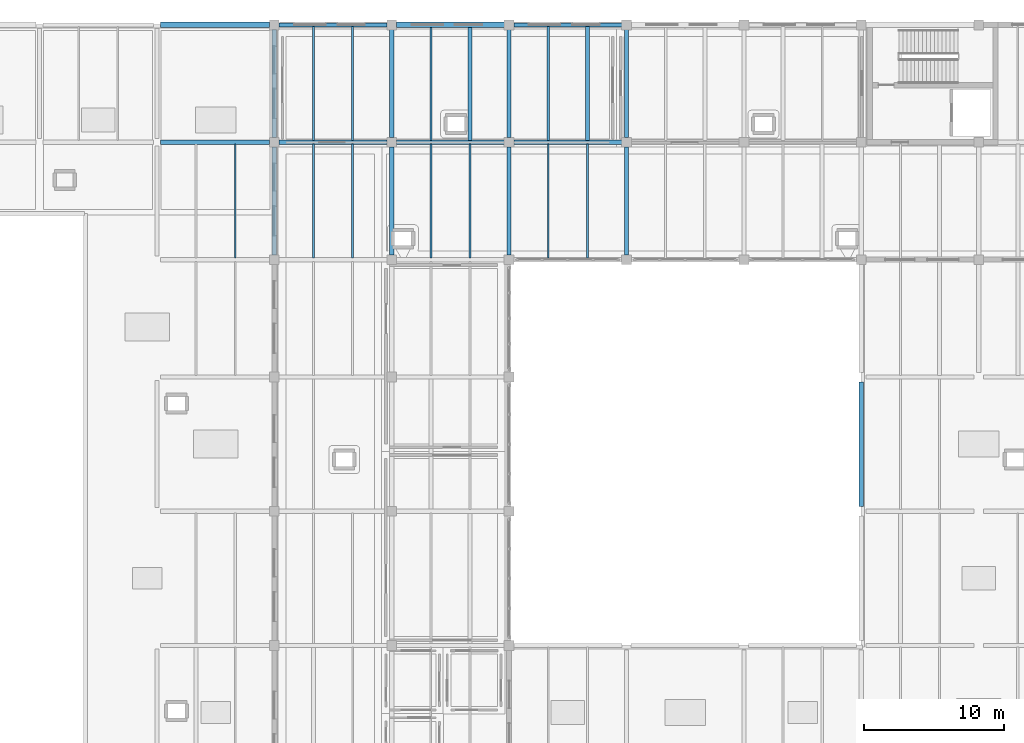
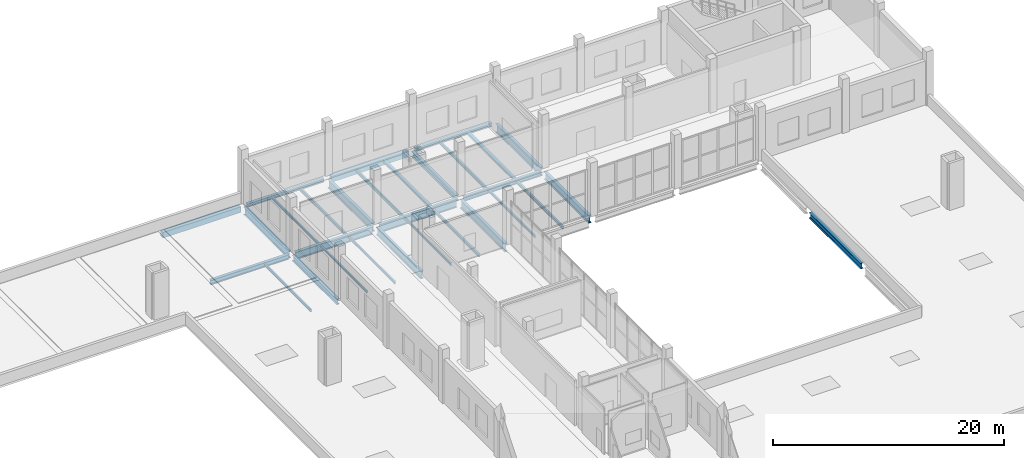
# One storey, part 25 of 49: 30 beams.
"""IFC4 building model written with IfcOpenShell, lengths in metres."""

from ifc_helpers import new_model, si_unit, direction, frame, origin, origin_2d, place, context, subcontext, project, spatial, rectangle, i_section, extrude, material, material_profile, profile_set, type_object, element, save


model = new_model("IFC4")

# Units and contexts
model_context = context("Model", 3, precision=1e-05, world=origin(), true_north=direction((0.0, 1.0)))
body_context = subcontext(model_context, "Body", "Model", "MODEL_VIEW")
ifc_project = project(units=[si_unit("LENGTHUNIT", "METRE"), si_unit("AREAUNIT", "SQUARE_METRE"), si_unit("VOLUMEUNIT", "CUBIC_METRE"), si_unit("PLANEANGLEUNIT", "RADIAN"), si_unit("MASSUNIT", "GRAM", prefix="KILO")], contexts=[model_context])

# Site, building, storey
site_placement = place(None, origin())
site = spatial("IfcSite", under=ifc_project, at=site_placement, CompositionType="ELEMENT")
building_placement = place(site_placement, origin())
building = spatial("IfcBuilding", under=site, at=building_placement, Name="Zulmaris Art Gallery", CompositionType="ELEMENT")
storey_placement = place(building_placement, frame((0.0, 0.0, 20.699951171875)))
storey = spatial("IfcBuildingStorey", under=building, at=storey_placement, Name="L04", CompositionType="ELEMENT", Elevation=20.699951171875)

# Beams
ifc_material_1 = material(Name="Steel S355J2", Category="steel")
ifc_material_profile_1 = material_profile(ifc_material_1, i_section(OverallWidth=0.300048828125, OverallDepth=0.489990234375, WebThickness=0.011962890625, FlangeThickness=0.02294921875, FilletRadius=0.027099609375, at=origin_2d()), Name="HEA 500")
ifc_profile_set_1 = profile_set([ifc_material_profile_1], Name="Steel S355J2")
beam_type_1 = type_object("IfcBeamType", Name="BEAM-BM11", PredefinedType="BEAM", material=ifc_profile_set_1)
beam_1_placement = place(storey_placement, frame((133.4599609375, 67.199951171875, -0.60498046875), z_axis=(1.0, 0.0, 0.0), x_axis=(0.0, 1.0, 0.0)))
element("IfcBeam", 1, at=beam_1_placement, inside=storey, type_object=beam_type_1, Name="L04 X-girder (133.2..141.6, y=67.2)", PredefinedType="BEAM", context=body_context, shape_type="SweptSolid", body=[
    extrude(i_section(OverallWidth=0.300048828125, OverallDepth=0.489990234375, WebThickness=0.011962890625, FlangeThickness=0.02294921875, FilletRadius=0.027099609375, at=origin_2d()), origin(), (0.0, 0.0, 1.0), 7.804931640625),
])
beam_2_placement = place(storey_placement, frame((158.735107421875, 67.199951171875, -0.635009765625), z_axis=(1.0, 0.0, 0.0), x_axis=(0.0, 1.0, 0.0)))
element("IfcBeam", 2, at=beam_2_placement, inside=storey, type_object=beam_type_1, Name="L04 X-girder (158.4..166.8, y=67.2)", PredefinedType="BEAM", context=body_context, shape_type="SweptSolid", body=[
    extrude(i_section(OverallWidth=0.300048828125, OverallDepth=0.489990234375, WebThickness=0.011962890625, FlangeThickness=0.02294921875, FilletRadius=0.027099609375, at=origin_2d()), origin(), (0.0, 0.0, 1.0), 7.72998046875),
])
ifc_material_profile_2 = material_profile(ifc_material_1, i_section(OverallWidth=0.300048828125, OverallDepth=0.590087890625, WebThickness=0.012939453125, FlangeThickness=0.02490234375, FilletRadius=0.027099609375, at=origin_2d()), Name="HEA 600")
ifc_profile_set_2 = profile_set([ifc_material_profile_2], Name="Steel S355J2")
beam_type_2 = type_object("IfcBeamType", Name="BEAM-BM12", PredefinedType="BEAM", material=ifc_profile_set_2)
for number, where, z_axis, x_axis, name in (
    (3, (141.60009765625, 59.135009765625, -0.655029296875), (0.0, 1.0, 0.0), (-1.0, 0.0, 0.0), "L04 Y-girder (x=141.6, 58.8..67.2)"),
    (4, (158.39990234375, 67.534912109375, -0.655029296875), (0.0, 1.0, 0.0), (-1.0, 0.0, 0.0), "L04 Y-girder (x=158.4, 67.2..75.6)"),
):
    element("IfcBeam", number, at=place(storey_placement, frame(where, z_axis=z_axis, x_axis=x_axis)), inside=storey, type_object=beam_type_2, Name=name, PredefinedType="BEAM", context=body_context, shape_type="SweptSolid", body=[
        extrude(i_section(OverallWidth=0.300048828125, OverallDepth=0.590087890625, WebThickness=0.012939453125, FlangeThickness=0.02490234375, FilletRadius=0.027099609375, at=origin_2d()), origin(), (0.0, 0.0, 1.0), 7.72998046875),
    ])
beam_3_placement = place(storey_placement, frame((183.60009765625, 41.135009765625, -0.655029296875), z_axis=(0.0, 1.0, 0.0), x_axis=(-1.0, 0.0, 0.0)))
element("IfcBeam", 5, at=beam_3_placement, inside=storey, type_object=beam_type_2, Name="L04 Y-girder (x=183.6, 40.8..50.4)", PredefinedType="BEAM", context=body_context, shape_type="SweptSolid", body=[
    extrude(i_section(OverallWidth=0.300048828125, OverallDepth=0.590087890625, WebThickness=0.012939453125, FlangeThickness=0.02490234375, FilletRadius=0.027099609375, at=origin_2d()), origin(), (0.0, 0.0, 1.0), 8.929931640625),
])
ifc_material_profile_3 = material_profile(ifc_material_1, i_section(OverallWidth=0.300048828125, OverallDepth=0.800048828125, WebThickness=0.017578125, FlangeThickness=0.032958984375, FilletRadius=0.030029296875, at=origin_2d()), Name="HEB 800")
ifc_profile_set_3 = profile_set([ifc_material_profile_3], Name="Steel S355J2")
beam_type_3 = type_object("IfcBeamType", Name="BEAM-BM17", PredefinedType="BEAM", material=ifc_profile_set_3)
for number, where, z_axis, x_axis, name in (
    (6, (141.93505859375, 67.199951171875, -0.760009765625), (1.0, 0.0, 0.0), (0.0, 1.0, 0.0), "L04 X-girder (141.6..150.0, y=67.2)"),
    (7, (141.60009765625, 67.534912109375, -0.760009765625), (0.0, 1.0, 0.0), (-1.0, 0.0, 0.0), "L04 Y-girder (x=141.6, 67.2..75.6)"),
    (8, (150.0, 59.135009765625, -0.760009765625), (0.0, 1.0, 0.0), (-1.0, 0.0, 0.0), "L04 Y-girder (x=150.0, 58.8..67.2)"),
    (9, (166.800048828125, 59.135009765625, -0.760009765625), (0.0, 1.0, 0.0), (-1.0, 0.0, 0.0), "L04 Y-girder (x=166.8, 58.8..67.2)"),
):
    element("IfcBeam", number, at=place(storey_placement, frame(where, z_axis=z_axis, x_axis=x_axis)), inside=storey, type_object=beam_type_3, Name=name, PredefinedType="BEAM", context=body_context, shape_type="SweptSolid", body=[
        extrude(i_section(OverallWidth=0.300048828125, OverallDepth=0.800048828125, WebThickness=0.017578125, FlangeThickness=0.032958984375, FilletRadius=0.030029296875, at=origin_2d()), origin(), (0.0, 0.0, 1.0), 7.72998046875),
    ])
ifc_material_profile_4 = material_profile(ifc_material_1, i_section(OverallWidth=0.300048828125, OverallDepth=0.89990234375, WebThickness=0.0185546875, FlangeThickness=0.034912109375, FilletRadius=0.030029296875, at=origin_2d()), Name="HEB 900")
ifc_profile_set_4 = profile_set([ifc_material_profile_4], Name="Steel S355J2")
beam_type_4 = type_object("IfcBeamType", Name="BEAM-BM18", PredefinedType="BEAM", material=ifc_profile_set_4)
for number, where, z_axis, x_axis, name in (
    (10, (150.3349609375, 67.199951171875, -0.81005859375), (1.0, 0.0, 0.0), (0.0, 1.0, 0.0), "L04 X-girder (150.0..158.4, y=67.2)"),
    (11, (150.0, 67.534912109375, -0.81005859375), (0.0, 1.0, 0.0), (-1.0, 0.0, 0.0), "L04 Y-girder (x=150.0, 67.2..75.6)"),
    (12, (158.39990234375, 59.135009765625, -0.81005859375), (0.0, 1.0, 0.0), (-1.0, 0.0, 0.0), "L04 Y-girder (x=158.4, 58.8..67.2)"),
    (13, (166.800048828125, 67.534912109375, -0.81005859375), (0.0, 1.0, 0.0), (-1.0, 0.0, 0.0), "L04 Y-girder (x=166.8, 67.2..75.6)"),
):
    element("IfcBeam", number, at=place(storey_placement, frame(where, z_axis=z_axis, x_axis=x_axis)), inside=storey, type_object=beam_type_4, Name=name, PredefinedType="BEAM", context=body_context, shape_type="SweptSolid", body=[
        extrude(i_section(OverallWidth=0.300048828125, OverallDepth=0.89990234375, WebThickness=0.0185546875, FlangeThickness=0.034912109375, FilletRadius=0.030029296875, at=origin_2d()), origin(), (0.0, 0.0, 1.0), 7.72998046875),
    ])
ifc_material_profile_5 = material_profile(ifc_material_1, i_section(OverallWidth=0.1201171875, OverallDepth=0.239990234375, WebThickness=0.006103515625, FlangeThickness=0.009765625, FilletRadius=0.014892578125, at=origin_2d()), Name="IPE 240")
ifc_profile_set_5 = profile_set([ifc_material_profile_5], Name="Steel S355J2")
beam_type_5 = type_object("IfcBeamType", Name="BEAM-JS01", PredefinedType="JOIST", material=ifc_profile_set_5)
beam_4_placement = place(storey_placement, frame((144.39990234375, 58.925048828125, -0.47998046875), z_axis=(0.0, 1.0, 0.0), x_axis=(-1.0, 0.0, 0.0)))
element("IfcBeam", 14, at=beam_4_placement, inside=storey, type_object=beam_type_5, Name="L04 secondary joist at x=144.4", PredefinedType="JOIST", context=body_context, shape_type="SweptSolid", body=[
    extrude(i_section(OverallWidth=0.1201171875, OverallDepth=0.239990234375, WebThickness=0.006103515625, FlangeThickness=0.009765625, FilletRadius=0.014892578125, at=origin_2d()), origin(), (0.0, 0.0, 1.0), 8.14990234375),
])
ifc_material_profile_6 = material_profile(ifc_material_1, i_section(OverallWidth=0.135009765625, OverallDepth=0.27001953125, WebThickness=0.006591796875, FlangeThickness=0.01025390625, FilletRadius=0.014892578125, at=origin_2d()), Name="IPE 270")
ifc_profile_set_6 = profile_set([ifc_material_profile_6], Name="Steel S355J2")
beam_type_6 = type_object("IfcBeamType", Name="BEAM-JS02", PredefinedType="JOIST", material=ifc_profile_set_6)
for number, where, z_axis, x_axis, name in (
    (15, (138.800048828125, 58.925048828125, -0.494873046875), (0.0, 1.0, 0.0), (-1.0, 0.0, 0.0), "L04 secondary joist at x=138.8"),
    (16, (147.199951171875, 58.925048828125, -0.494873046875), (0.0, 1.0, 0.0), (-1.0, 0.0, 0.0), "L04 secondary joist at x=147.2"),
):
    element("IfcBeam", number, at=place(storey_placement, frame(where, z_axis=z_axis, x_axis=x_axis)), inside=storey, type_object=beam_type_6, Name=name, PredefinedType="JOIST", context=body_context, shape_type="SweptSolid", body=[
        extrude(i_section(OverallWidth=0.135009765625, OverallDepth=0.27001953125, WebThickness=0.006591796875, FlangeThickness=0.01025390625, FilletRadius=0.014892578125, at=origin_2d()), origin(), (0.0, 0.0, 1.0), 8.14990234375),
    ])
beam_5_placement = place(storey_placement, frame((144.39990234375, 67.324951171875, -0.494873046875), z_axis=(0.0, 1.0, 0.0), x_axis=(-1.0, 0.0, 0.0)))
element("IfcBeam", 17, at=beam_5_placement, inside=storey, type_object=beam_type_6, Name="L04 secondary joist at x=144.4", PredefinedType="JOIST", context=body_context, shape_type="SweptSolid", body=[
    extrude(i_section(OverallWidth=0.135009765625, OverallDepth=0.27001953125, WebThickness=0.006591796875, FlangeThickness=0.01025390625, FilletRadius=0.014892578125, at=origin_2d()), origin(), (0.0, 0.0, 1.0), 8.150146484375),
])
for number, where, z_axis, x_axis, name in (
    (18, (152.800048828125, 58.925048828125, -0.494873046875), (0.0, 1.0, 0.0), (-1.0, 0.0, 0.0), "L04 secondary joist at x=152.8"),
    (19, (161.199951171875, 58.925048828125, -0.494873046875), (0.0, 1.0, 0.0), (-1.0, 0.0, 0.0), "L04 secondary joist at x=161.2"),
):
    element("IfcBeam", number, at=place(storey_placement, frame(where, z_axis=z_axis, x_axis=x_axis)), inside=storey, type_object=beam_type_6, Name=name, PredefinedType="JOIST", context=body_context, shape_type="SweptSolid", body=[
        extrude(i_section(OverallWidth=0.135009765625, OverallDepth=0.27001953125, WebThickness=0.006591796875, FlangeThickness=0.01025390625, FilletRadius=0.014892578125, at=origin_2d()), origin(), (0.0, 0.0, 1.0), 8.14990234375),
    ])
ifc_material_profile_7 = material_profile(ifc_material_1, i_section(OverallWidth=0.159912109375, OverallDepth=0.330078125, WebThickness=0.007568359375, FlangeThickness=0.011474609375, FilletRadius=0.01806640625, at=origin_2d()), Name="IPE 330")
ifc_profile_set_7 = profile_set([ifc_material_profile_7], Name="Steel S355J2")
beam_type_7 = type_object("IfcBeamType", Name="BEAM-JS03", PredefinedType="JOIST", material=ifc_profile_set_7)
beam_6_placement = place(storey_placement, frame((147.199951171875, 67.324951171875, -0.52490234375), z_axis=(0.0, 1.0, 0.0), x_axis=(-1.0, 0.0, 0.0)))
element("IfcBeam", 20, at=beam_6_placement, inside=storey, type_object=beam_type_7, Name="L04 secondary joist at x=147.2", PredefinedType="JOIST", context=body_context, shape_type="SweptSolid", body=[
    extrude(i_section(OverallWidth=0.159912109375, OverallDepth=0.330078125, WebThickness=0.007568359375, FlangeThickness=0.011474609375, FilletRadius=0.01806640625, at=origin_2d()), origin(), (0.0, 0.0, 1.0), 8.150146484375),
])
beam_7_placement = place(storey_placement, frame((155.60009765625, 58.925048828125, -0.52490234375), z_axis=(0.0, 1.0, 0.0), x_axis=(-1.0, 0.0, 0.0)))
element("IfcBeam", 21, at=beam_7_placement, inside=storey, type_object=beam_type_7, Name="L04 secondary joist at x=155.6", PredefinedType="JOIST", context=body_context, shape_type="SweptSolid", body=[
    extrude(i_section(OverallWidth=0.159912109375, OverallDepth=0.330078125, WebThickness=0.007568359375, FlangeThickness=0.011474609375, FilletRadius=0.01806640625, at=origin_2d()), origin(), (0.0, 0.0, 1.0), 8.14990234375),
])
beam_8_placement = place(storey_placement, frame((152.800048828125, 67.324951171875, -0.52490234375), z_axis=(0.0, 1.0, 0.0), x_axis=(-1.0, 0.0, 0.0)))
element("IfcBeam", 22, at=beam_8_placement, inside=storey, type_object=beam_type_7, Name="L04 secondary joist at x=152.8", PredefinedType="JOIST", context=body_context, shape_type="SweptSolid", body=[
    extrude(i_section(OverallWidth=0.159912109375, OverallDepth=0.330078125, WebThickness=0.007568359375, FlangeThickness=0.011474609375, FilletRadius=0.01806640625, at=origin_2d()), origin(), (0.0, 0.0, 1.0), 8.10009765625),
])
beam_9_placement = place(storey_placement, frame((164.0, 58.925048828125, -0.52490234375), z_axis=(0.0, 1.0, 0.0), x_axis=(-1.0, 0.0, 0.0)))
element("IfcBeam", 23, at=beam_9_placement, inside=storey, type_object=beam_type_7, Name="L04 secondary joist at x=164.0", PredefinedType="JOIST", context=body_context, shape_type="SweptSolid", body=[
    extrude(i_section(OverallWidth=0.159912109375, OverallDepth=0.330078125, WebThickness=0.007568359375, FlangeThickness=0.011474609375, FilletRadius=0.01806640625, at=origin_2d()), origin(), (0.0, 0.0, 1.0), 8.14990234375),
])
beam_10_placement = place(storey_placement, frame((161.199951171875, 67.324951171875, -0.52490234375), z_axis=(0.0, 1.0, 0.0), x_axis=(-1.0, 0.0, 0.0)))
element("IfcBeam", 24, at=beam_10_placement, inside=storey, type_object=beam_type_7, Name="L04 secondary joist at x=161.2", PredefinedType="JOIST", context=body_context, shape_type="SweptSolid", body=[
    extrude(i_section(OverallWidth=0.159912109375, OverallDepth=0.330078125, WebThickness=0.007568359375, FlangeThickness=0.011474609375, FilletRadius=0.01806640625, at=origin_2d()), origin(), (0.0, 0.0, 1.0), 8.150146484375),
])
ifc_material_profile_8 = material_profile(ifc_material_1, i_section(OverallWidth=0.280029296875, OverallDepth=0.27001953125, WebThickness=0.008056640625, FlangeThickness=0.012939453125, FilletRadius=0.02392578125, at=origin_2d()), Name="HEA 280")
ifc_profile_set_8 = profile_set([ifc_material_profile_8], Name="Steel S355J2")
beam_type_8 = type_object("IfcBeamType", Name="BEAM-JS04", PredefinedType="JOIST", material=ifc_profile_set_8)
beam_11_placement = place(storey_placement, frame((155.60009765625, 67.324951171875, -0.494873046875), z_axis=(0.0, 1.0, 0.0), x_axis=(-1.0, 0.0, 0.0)))
element("IfcBeam", 25, at=beam_11_placement, inside=storey, type_object=beam_type_8, Name="L04 secondary joist at x=155.6", PredefinedType="JOIST", context=body_context, shape_type="SweptSolid", body=[
    extrude(i_section(OverallWidth=0.280029296875, OverallDepth=0.27001953125, WebThickness=0.008056640625, FlangeThickness=0.012939453125, FilletRadius=0.02392578125, at=origin_2d()), origin(), (0.0, 0.0, 1.0), 8.10009765625),
])
beam_12_placement = place(storey_placement, frame((164.0, 67.324951171875, -0.494873046875), z_axis=(0.0, 1.0, 0.0), x_axis=(-1.0, 0.0, 0.0)))
element("IfcBeam", 26, at=beam_12_placement, inside=storey, type_object=beam_type_8, Name="L04 secondary joist at x=164.0", PredefinedType="JOIST", context=body_context, shape_type="SweptSolid", body=[
    extrude(i_section(OverallWidth=0.280029296875, OverallDepth=0.27001953125, WebThickness=0.008056640625, FlangeThickness=0.012939453125, FilletRadius=0.02392578125, at=origin_2d()), origin(), (0.0, 0.0, 1.0), 8.150146484375),
])
ifc_material_profile_9 = material_profile(ifc_material_1, i_section(OverallWidth=0.300048828125, OverallDepth=0.35009765625, WebThickness=0.010009765625, FlangeThickness=0.017578125, FilletRadius=0.027099609375, at=origin_2d()), Name="HEA 360")
ifc_profile_set_9 = profile_set([ifc_material_profile_9], Name="Steel S355J2")
beam_type_9 = type_object("IfcBeamType", Name="BEAM-SP01", PredefinedType="SPANDREL", material=ifc_profile_set_9)
for number, where, z_axis, x_axis, name in (
    (27, (141.93505859375, 75.60009765625, -0.534912109375), (1.0, 0.0, 0.0), (0.0, 1.0, 0.0), "L04 X-girder (141.6..150.0, y=75.6)"),
    (28, (158.735107421875, 75.60009765625, -0.534912109375), (1.0, 0.0, 0.0), (0.0, 1.0, 0.0), "L04 X-girder (158.4..166.8, y=75.6)"),
):
    element("IfcBeam", number, at=place(storey_placement, frame(where, z_axis=z_axis, x_axis=x_axis)), inside=storey, type_object=beam_type_9, Name=name, PredefinedType="SPANDREL", context=body_context, shape_type="SweptSolid", body=[
        extrude(i_section(OverallWidth=0.300048828125, OverallDepth=0.35009765625, WebThickness=0.010009765625, FlangeThickness=0.017578125, FilletRadius=0.027099609375, at=origin_2d()), origin(), (0.0, 0.0, 1.0), 7.72998046875),
    ])
ifc_material_2 = material(Name="Concrete C40/50", Category="concrete")
ifc_material_profile_10 = material_profile(ifc_material_2, rectangle(XDim=0.39990234375, YDim=0.60009765625, at=origin_2d()), Name="RC 400x600")
ifc_profile_set_10 = profile_set([ifc_material_profile_10], Name="Concrete C40/50")
beam_type_10 = type_object("IfcBeamType", Name="BEAM-SP03", PredefinedType="SPANDREL", material=ifc_profile_set_10)
beam_13_placement = place(storey_placement, frame((133.4599609375, 75.60009765625, -0.659912109375), z_axis=(1.0, 0.0, 0.0), x_axis=(0.0, 1.0, 0.0)))
element("IfcBeam", 29, at=beam_13_placement, inside=storey, type_object=beam_type_10, Name="L04 X-girder (133.2..141.6, y=75.6)", PredefinedType="SPANDREL", context=body_context, shape_type="SweptSolid", body=[
    extrude(rectangle(XDim=0.39990234375, YDim=0.60009765625, at=origin_2d()), origin(), (0.0, 0.0, 1.0), 7.804931640625),
])
beam_14_placement = place(storey_placement, frame((150.3349609375, 75.60009765625, -0.659912109375), z_axis=(1.0, 0.0, 0.0), x_axis=(0.0, 1.0, 0.0)))
element("IfcBeam", 30, at=beam_14_placement, inside=storey, type_object=beam_type_10, Name="L04 X-girder (150.0..158.4, y=75.6)", PredefinedType="SPANDREL", context=body_context, shape_type="SweptSolid", body=[
    extrude(rectangle(XDim=0.39990234375, YDim=0.60009765625, at=origin_2d()), origin(), (0.0, 0.0, 1.0), 7.72998046875),
])

save(model, "model.ifc")
